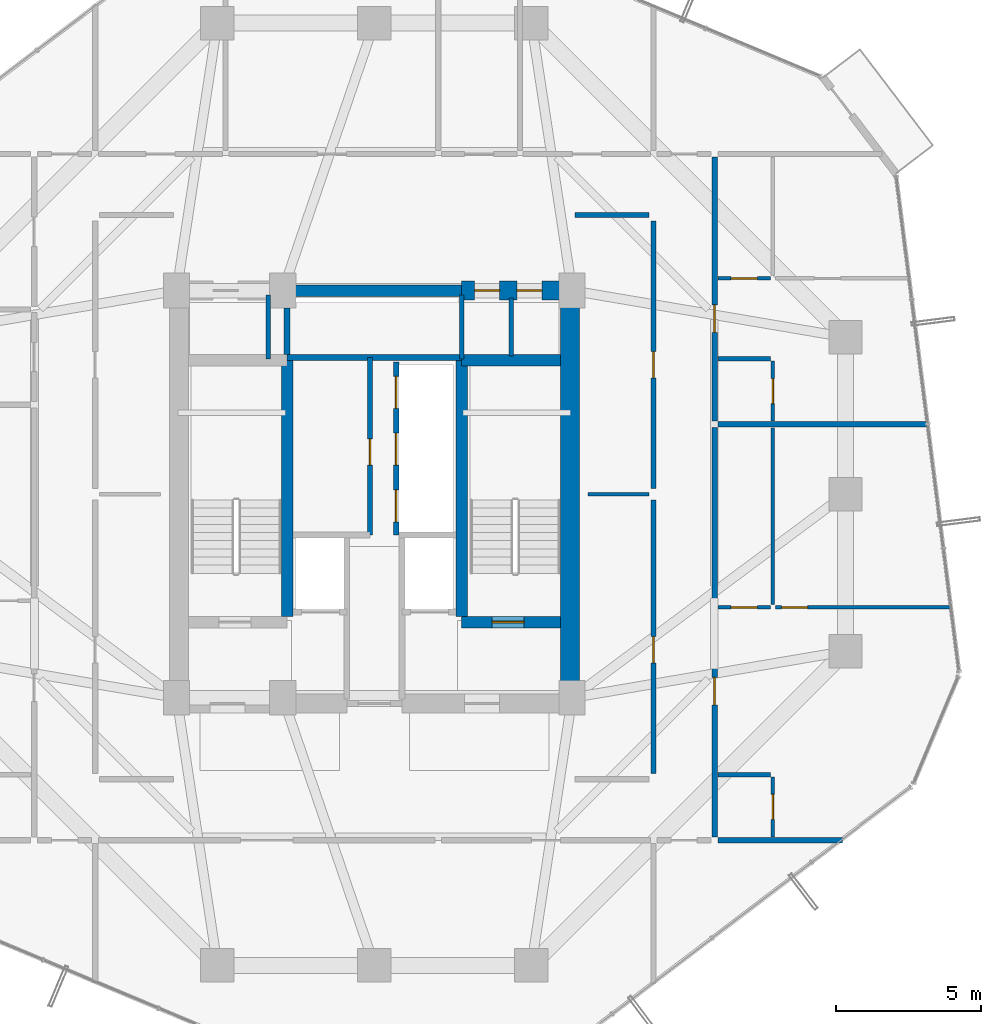
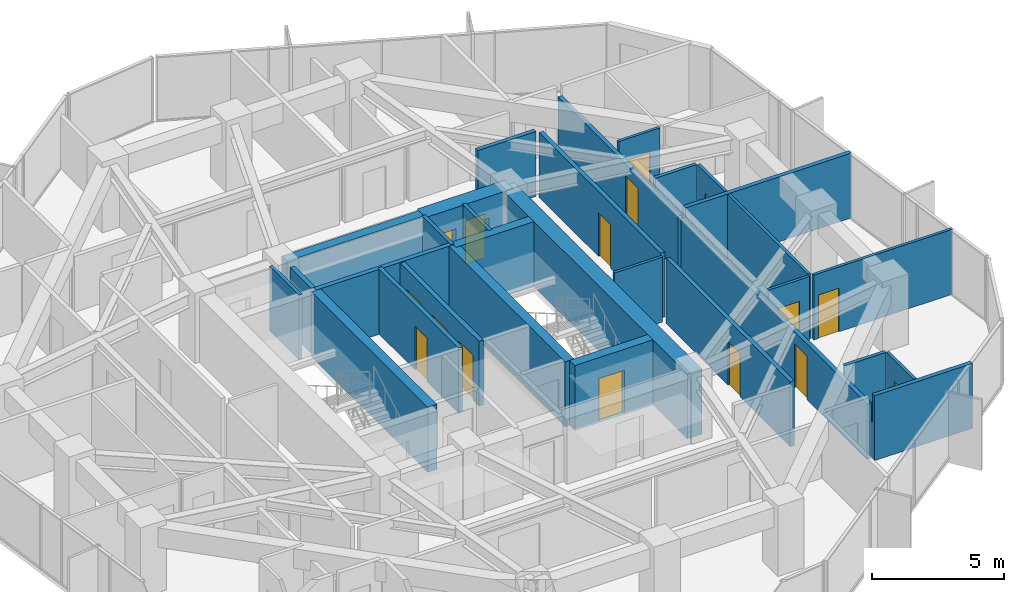
# One storey, part 30 of 33: 30 walls, 16 doors, 16 openings.
"""IFC4 building model written with IfcOpenShell, lengths in metres."""

from ifc_helpers import new_model, si_unit, direction, frame, frame_2d, origin, place, context, subcontext, project, spatial, rectangle, extrude, source, transform, mapped, material, layer, layer_set, type_object, element, fill, save


model = new_model("IFC4")

# Units and contexts
model_context = context("Model", 3, precision=1e-05, world=origin(), true_north=direction((0.0, 1.0)))
body_context = subcontext(model_context, "Body", "Model", "MODEL_VIEW")
ifc_project = project(units=[si_unit("LENGTHUNIT", "METRE"), si_unit("AREAUNIT", "SQUARE_METRE"), si_unit("VOLUMEUNIT", "CUBIC_METRE"), si_unit("PLANEANGLEUNIT", "RADIAN"), si_unit("MASSUNIT", "GRAM", prefix="KILO")], contexts=[model_context])

# Site, building, storey
site_placement = place(None, origin())
site = spatial("IfcSite", under=ifc_project, at=site_placement, CompositionType="ELEMENT")
building_placement = place(site_placement, origin())
building = spatial("IfcBuilding", under=site, at=building_placement, Name="Veraguas Prism Commons", CompositionType="ELEMENT")
storey_placement = place(building_placement, frame((0.0, 0.0, 152.25)))
storey = spatial("IfcBuildingStorey", under=building, at=storey_placement, Name="L43", CompositionType="ELEMENT", Elevation=152.25)

# Wall
ifc_material_1 = material(Name="Concrete C50/60", Category="concrete")
ifc_layer_1 = layer(ifc_material_1, 0.39990234375, Name="Clinic and Mid Core Shear Wall RC 400", Category="concrete")
ifc_layer_set_1 = layer_set([ifc_layer_1], Name="Concrete C50/60")
wall_type_1 = type_object("IfcWallType", Name="Clinic and Mid Core Shear Wall RC 400", PredefinedType="SHEAR", material=ifc_layer_set_1)
wall_1_placement = place(storey_placement, frame((21.0, 31.0, 0.0), z_axis=(0.0, 0.0, 1.0), x_axis=(1.0, 0.0, 0.0)))
element("IfcWall", 1, at=wall_1_placement, inside=storey, type_object=wall_type_1, Name="High-Rise Lift Bank Front Shear Wall L43", PredefinedType="SHEAR", context=body_context, shape_type="SweptSolid", body=[
    extrude(rectangle(XDim=6.0, YDim=0.39990234375, at=frame_2d((3.0, 0.0))), origin(), (0.0, 0.0, 1.0), 3.0),
])

# Wall, opening, door
wall_2_placement = place(storey_placement, frame((27.0, 19.60009765625, 0.0), z_axis=(0.0, 0.0, 1.0), x_axis=(1.0, 0.0, 0.0)))
wall_2 = element("IfcWall", 2, at=wall_2_placement, inside=storey, type_object=wall_type_1, Name="Stair ST-02 South Shear Wall L43", PredefinedType="SHEAR", context=body_context, shape_type="SweptSolid", body=[
    extrude(rectangle(XDim=3.39990234375, YDim=0.39990234375, at=frame_2d((1.699951171875, 0.0))), origin(), (0.0, 0.0, 1.0), 3.0),
])
opening_1_placement = place(wall_2_placement, frame((1.050048828125, 0.0, 0.0)))
opening_1 = element("IfcOpeningElement", 3, at=opening_1_placement, cuts=wall_2, Name="Opening DR-05", PredefinedType="OPENING", context=body_context, shape_type="SweptSolid", body=[
    extrude(rectangle(XDim=1.10009765625, YDim=2.030029296875, at=frame_2d((0.550048828125, 1.01513671875))), frame((0.0, 0.2099609375, 0.0), z_axis=(0.0, -1.0, 0.0), x_axis=(1.0, 0.0, 0.0)), (0.0, 0.0, 1.0), 0.419921875),
])
ifc_material_2 = material(Name="Steel fire-rated door assembly", Category="steel")
door_type_1 = type_object("IfcDoorType", Name="Protected Stair and Refuge Fire Door 1100x2030", OperationType="NOTDEFINED", PredefinedType="DOOR", material=ifc_material_2)
shared_shape_1 = source(origin(), body_context, "Body", "SweptSolid", [
    extrude(rectangle(XDim=1.10009765625, YDim=2.030029296875, at=frame_2d((0.550048828125, 1.01513671875))), frame((0.0, 0.02490234375, 0.0), z_axis=(0.0, -1.0, 0.0), x_axis=(1.0, 0.0, 0.0)), (0.0, 0.0, 1.0), 0.050048828125),
])
door_1_placement = place(opening_1_placement, origin())
door_1 = element("IfcDoor", 4, at=door_1_placement, inside=storey, type_object=door_type_1, Name="Stair ST-02 Enclosure Door L43", OperationType="SINGLE_SWING_RIGHT", OverallHeight=2.030029296875, OverallWidth=1.10009765625, PredefinedType="DOOR", context=body_context, shape_type="MappedRepresentation", body=[
    mapped(shared_shape_1, transform((0.0, 0.0, 0.0), scale=1.0)),
])
fill(opening_1, door_1)

# Walls
for number, where, z_axis, x_axis, name in (
    (5, (21.0, 19.800048828125, 0.0), (0.0, 0.0, 1.0), (0.0, 1.0, 0.0), "Stair ST-01 Inner Shear Wall L43"),
    (6, (27.0, 19.800048828125, 0.0), (0.0, 0.0, 1.0), (0.0, 1.0, 0.0), "Stair ST-02 Inner Shear Wall L43"),
):
    element("IfcWall", number, at=place(storey_placement, frame(where, z_axis=z_axis, x_axis=x_axis)), inside=storey, type_object=wall_type_1, Name=name, PredefinedType="SHEAR", context=body_context, shape_type="SweptSolid", body=[
        extrude(rectangle(XDim=8.800048828125, YDim=0.39990234375, at=frame_2d((4.39990234375, 0.0))), origin(), (0.0, 0.0, 1.0), 3.0),
    ])
wall_3_placement = place(storey_placement, frame((27.0, 28.60009765625, 0.0), z_axis=(0.0, 0.0, 1.0), x_axis=(1.0, 0.0, 0.0)))
element("IfcWall", 7, at=wall_3_placement, inside=storey, type_object=wall_type_1, Name="Stair ST-02 North Shear Wall L43", PredefinedType="SHEAR", context=body_context, shape_type="SweptSolid", body=[
    extrude(rectangle(XDim=3.39990234375, YDim=0.39990234375, at=frame_2d((1.699951171875, 0.0))), origin(), (0.0, 0.0, 1.0), 3.0),
])
ifc_material_3 = material(Name="Concrete C55/67", Category="concrete")
ifc_layer_2 = layer(ifc_material_3, 0.64990234375, Name="Core Outer Shear Wall Mid RC 650", Category="concrete")
ifc_layer_set_2 = layer_set([ifc_layer_2], Name="Concrete C55/67")
wall_type_2 = type_object("IfcWallType", Name="Core Outer Shear Wall Mid RC 650", PredefinedType="SHEAR", material=ifc_layer_set_2)
wall_4_placement = place(storey_placement, frame((30.72509765625, 16.800048828125, 0.0), z_axis=(0.0, 0.0, 1.0), x_axis=(0.0, 1.0, 0.0)))
element("IfcWall", 8, at=wall_4_placement, inside=storey, type_object=wall_type_2, Name="Central Core East Shear Wall L43", PredefinedType="SHEAR", context=body_context, shape_type="SweptSolid", body=[
    extrude(rectangle(XDim=14.199951171875, YDim=0.64990234375, at=frame_2d((7.10009765625, 0.0))), origin(), (0.0, 0.0, 1.0), 3.0),
])

# Wall, openings, doors
wall_5_placement = place(storey_placement, frame((27.0, 31.0, 0.0), z_axis=(0.0, 0.0, 1.0), x_axis=(1.0, 0.0, 0.0)))
wall_5 = element("IfcWall", 9, at=wall_5_placement, inside=storey, type_object=wall_type_2, Name="Central Core North-East Shear Wall L43", PredefinedType="SHEAR", context=body_context, shape_type="SweptSolid", body=[
    extrude(rectangle(XDim=3.800048828125, YDim=0.64990234375, at=frame_2d((1.89990234375, 0.0))), origin(), (0.0, 0.0, 1.0), 3.0),
])
opening_2_placement = place(wall_5_placement, frame((0.449951171875, 0.0, 0.0)))
opening_2 = element("IfcOpeningElement", 10, at=opening_2_placement, cuts=wall_5, Name="Opening DR-12", PredefinedType="OPENING", context=body_context, shape_type="SweptSolid", body=[
    extrude(rectangle(XDim=0.860107421875, YDim=2.010009765625, at=frame_2d((0.43017578125, 1.0048828125))), frame((0.0, 0.3349609375, 0.0), z_axis=(0.0, -1.0, 0.0), x_axis=(1.0, 0.0, 0.0)), (0.0, 0.0, 1.0), 0.669921875),
])
opening_3_placement = place(wall_5_placement, frame((1.89990234375, 0.0, 0.0)))
opening_3 = element("IfcOpeningElement", 11, at=opening_3_placement, cuts=wall_5, Name="Opening DR-12", PredefinedType="OPENING", context=body_context, shape_type="SweptSolid", body=[
    extrude(rectangle(XDim=0.860107421875, YDim=2.010009765625, at=frame_2d((0.43017578125, 1.0048828125))), frame((0.0, 0.3349609375, 0.0), z_axis=(0.0, -1.0, 0.0), x_axis=(1.0, 0.0, 0.0)), (0.0, 0.0, 1.0), 0.669921875),
])
door_type_2 = type_object("IfcDoorType", Name="Core WC Fire Door 860x2010", OperationType="NOTDEFINED", PredefinedType="DOOR", material=ifc_material_2)
shared_shape_2 = source(origin(), body_context, "Body", "SweptSolid", [
    extrude(rectangle(XDim=0.860107421875, YDim=2.010009765625, at=frame_2d((0.43017578125, 1.0048828125))), frame((0.0, 0.02490234375, 0.0), z_axis=(0.0, -1.0, 0.0), x_axis=(1.0, 0.0, 0.0)), (0.0, 0.0, 1.0), 0.050048828125),
])
door_2_placement = place(opening_2_placement, origin())
door_2 = element("IfcDoor", 12, at=door_2_placement, inside=storey, type_object=door_type_2, Name="Core NE Room A Door L43", OperationType="SINGLE_SWING_LEFT", OverallHeight=2.010009765625, OverallWidth=0.860107421875, PredefinedType="DOOR", context=body_context, shape_type="MappedRepresentation", body=[
    mapped(shared_shape_2, transform((0.0, 0.0, 0.0), scale=1.0)),
])
fill(opening_2, door_2)
door_3_placement = place(opening_3_placement, origin())
door_3 = element("IfcDoor", 13, at=door_3_placement, inside=storey, type_object=door_type_2, Name="Core NE Room B Door L43", OperationType="SINGLE_SWING_RIGHT", OverallHeight=2.010009765625, OverallWidth=0.860107421875, PredefinedType="DOOR", context=body_context, shape_type="MappedRepresentation", body=[
    mapped(shared_shape_2, transform((0.0, 0.0, 0.0), scale=1.0)),
])
fill(opening_3, door_3)

# Wall, opening, door
ifc_material_4 = material(Name="Autoclaved aerated masonry block 10 MPa", Category="masonry")
ifc_layer_3 = layer(ifc_material_4, 0.179931640625, Name="Corridor and Inter-Tenancy Partition 180", Category="masonry")
ifc_layer_set_3 = layer_set([ifc_layer_3], Name="Autoclaved aerated masonry block 10 MPa")
wall_type_3 = type_object("IfcWallType", Name="Corridor and Inter-Tenancy Partition 180", PredefinedType="PARTITIONING", material=ifc_layer_set_3)
wall_6_placement = place(storey_placement, frame((23.85009765625, 22.60009765625, 0.0), z_axis=(0.0, 0.0, 1.0), x_axis=(0.0, 1.0, 0.0)))
wall_6 = element("IfcWall", 14, at=wall_6_placement, inside=storey, type_object=wall_type_3, Name="Reading Room Partition L43", PredefinedType="PARTITIONING", context=body_context, shape_type="SweptSolid", body=[
    extrude(rectangle(XDim=6.099853515625, YDim=0.179931640625, at=frame_2d((3.0498046875, 0.0))), origin(), (0.0, 0.0, 1.0), 3.0),
])
opening_4_placement = place(wall_6_placement, frame((2.39990234375, 0.0, 0.0)))
opening_4 = element("IfcOpeningElement", 15, at=opening_4_placement, cuts=wall_6, Name="Opening DR-14", PredefinedType="OPENING", context=body_context, shape_type="SweptSolid", body=[
    extrude(rectangle(XDim=0.89990234375, YDim=2.010009765625, at=frame_2d((0.449951171875, 1.0048828125))), frame((0.0, 0.099853515625, 0.0), z_axis=(0.0, -1.0, 0.0), x_axis=(1.0, 0.0, 0.0)), (0.0, 0.0, 1.0), 0.199951171875),
])
door_type_3 = type_object("IfcDoorType", Name="Core Service Room Fire Door 900x2010", OperationType="NOTDEFINED", PredefinedType="DOOR", material=ifc_material_2)
shared_shape_3 = source(origin(), body_context, "Body", "SweptSolid", [
    extrude(rectangle(XDim=0.89990234375, YDim=2.010009765625, at=frame_2d((0.449951171875, 1.0048828125))), frame((0.0, 0.02490234375, 0.0), z_axis=(0.0, -1.0, 0.0), x_axis=(1.0, 0.0, 0.0)), (0.0, 0.0, 1.0), 0.050048828125),
])
door_4_placement = place(opening_4_placement, origin())
door_4 = element("IfcDoor", 16, at=door_4_placement, inside=storey, type_object=door_type_3, Name="Reading Room Door L43", OperationType="SINGLE_SWING_LEFT", OverallHeight=2.010009765625, OverallWidth=0.89990234375, PredefinedType="DOOR", context=body_context, shape_type="MappedRepresentation", body=[
    mapped(shared_shape_3, transform((0.0, 0.0, 0.0), scale=1.0)),
])
fill(opening_4, door_4)

wall_7_placement = place(storey_placement, frame((33.60009765625, 14.39990234375, 0.0), z_axis=(0.0, 0.0, 1.0), x_axis=(0.0, 1.0, 0.0)))
wall_7 = element("IfcWall", 17, at=wall_7_placement, inside=storey, type_object=wall_type_3, Name="WL-L43-IRE1", PredefinedType="PARTITIONING", context=body_context, shape_type="SweptSolid", body=[
    extrude(rectangle(XDim=9.400146484375, YDim=0.179931640625, at=frame_2d((4.7001953125, 0.0))), origin(), (0.0, 0.0, 1.0), 3.0),
])
opening_5_placement = place(wall_7_placement, frame((3.800048828125, 0.0, 0.0)))
opening_5 = element("IfcOpeningElement", 18, at=opening_5_placement, cuts=wall_7, Name="Opening DR-14", PredefinedType="OPENING", context=body_context, shape_type="SweptSolid", body=[
    extrude(rectangle(XDim=0.89990234375, YDim=2.010009765625, at=frame_2d((0.449951171875, 1.0048828125))), frame((0.0, 0.099853515625, 0.0), z_axis=(0.0, -1.0, 0.0), x_axis=(1.0, 0.0, 0.0)), (0.0, 0.0, 1.0), 0.199951171875),
])
door_5_placement = place(opening_5_placement, origin())
door_5 = element("IfcDoor", 19, at=door_5_placement, inside=storey, type_object=door_type_3, Name="Shared Laundry Annex Door L43", OperationType="SINGLE_SWING_RIGHT", OverallHeight=2.010009765625, OverallWidth=0.89990234375, PredefinedType="DOOR", context=body_context, shape_type="MappedRepresentation", body=[
    mapped(shared_shape_3, transform((0.0, 0.0, 0.0), scale=1.0)),
])
fill(opening_5, door_5)

wall_8_placement = place(storey_placement, frame((33.60009765625, 24.199951171875, 0.0), z_axis=(0.0, 0.0, 1.0), x_axis=(0.0, 1.0, 0.0)))
wall_8 = element("IfcWall", 20, at=wall_8_placement, inside=storey, type_object=wall_type_3, Name="WL-L43-IRE2", PredefinedType="PARTITIONING", context=body_context, shape_type="SweptSolid", body=[
    extrude(rectangle(XDim=9.199951171875, YDim=0.179931640625, at=frame_2d((4.60009765625, 0.0))), origin(), (0.0, 0.0, 1.0), 3.0),
])
opening_6_placement = place(wall_8_placement, frame((3.800048828125, 0.0, 0.0)))
opening_6 = element("IfcOpeningElement", 21, at=opening_6_placement, cuts=wall_8, Name="Opening DR-14", PredefinedType="OPENING", context=body_context, shape_type="SweptSolid", body=[
    extrude(rectangle(XDim=0.89990234375, YDim=2.010009765625, at=frame_2d((0.449951171875, 1.0048828125))), frame((0.0, 0.099853515625, 0.0), z_axis=(0.0, -1.0, 0.0), x_axis=(1.0, 0.0, 0.0)), (0.0, 0.0, 1.0), 0.199951171875),
])
door_6_placement = place(opening_6_placement, origin())
door_6 = element("IfcDoor", 22, at=door_6_placement, inside=storey, type_object=door_type_3, Name="Community Reading Alcove Door L43", OperationType="SINGLE_SWING_LEFT", OverallHeight=2.010009765625, OverallWidth=0.89990234375, PredefinedType="DOOR", context=body_context, shape_type="MappedRepresentation", body=[
    mapped(shared_shape_3, transform((0.0, 0.0, 0.0), scale=1.0)),
])
fill(opening_6, door_6)

# Walls
wall_9_placement = place(storey_placement, frame((30.89990234375, 33.60009765625, 0.0), z_axis=(0.0, 0.0, 1.0), x_axis=(1.0, 0.0, 0.0)))
element("IfcWall", 23, at=wall_9_placement, inside=storey, type_object=wall_type_3, Name="WL-L43-IREN", PredefinedType="PARTITIONING", context=body_context, shape_type="SweptSolid", body=[
    extrude(rectangle(XDim=2.550048828125, YDim=0.179931640625, at=frame_2d((1.27490234375, 0.0))), origin(), (0.0, 0.0, 1.0), 3.0),
])
wall_10_placement = place(storey_placement, frame((35.820068359375, 12.10009765625, 0.0), z_axis=(0.0, 0.0, 1.0), x_axis=(1.0, 0.0, 0.0)))
element("IfcWall", 24, at=wall_10_placement, inside=storey, type_object=wall_type_3, Name="WL-L43-PT026", PredefinedType="PARTITIONING", context=body_context, shape_type="SweptSolid", body=[
    extrude(rectangle(XDim=4.27294921875, YDim=0.179931640625, at=frame_2d((2.136474609375, 0.0))), origin(), (0.0, 0.0, 1.0), 3.0),
])

# Wall, opening, door
wall_11_placement = place(storey_placement, frame((35.699951171875, 12.2099609375, 0.0), z_axis=(0.0, 0.0, 1.0), x_axis=(0.0, 1.0, 0.0)))
wall_11 = element("IfcWall", 25, at=wall_11_placement, inside=storey, type_object=wall_type_3, Name="WL-L43-PT028", PredefinedType="PARTITIONING", context=body_context, shape_type="SweptSolid", body=[
    extrude(rectangle(XDim=14.08203125, YDim=0.179931640625, at=frame_2d((7.041015625, 0.0))), origin(), (0.0, 0.0, 1.0), 2.580078125),
])
opening_7_placement = place(wall_11_placement, frame((4.54443359375, 0.0, 0.0)))
opening_7 = element("IfcOpeningElement", 26, at=opening_7_placement, cuts=wall_11, Name="Opening DR-01", PredefinedType="OPENING", context=body_context, shape_type="SweptSolid", body=[
    extrude(rectangle(XDim=0.949951171875, YDim=2.02001953125, at=frame_2d((0.47509765625, 1.010009765625))), frame((0.0, 0.099853515625, 0.0), z_axis=(0.0, -1.0, 0.0), x_axis=(1.0, 0.0, 0.0)), (0.0, 0.0, 1.0), 0.199951171875),
])
ifc_material_5 = material(Name="Anodised aluminium EN AW-6063 T6", Category="aluminium")
door_type_4 = type_object("IfcDoorType", Name="Apartment Entrance Fire Door 950x2020", OperationType="NOTDEFINED", PredefinedType="DOOR", material=ifc_material_5)
shared_shape_4 = source(origin(), body_context, "Body", "SweptSolid", [
    extrude(rectangle(XDim=0.949951171875, YDim=2.02001953125, at=frame_2d((0.47509765625, 1.010009765625))), frame((0.0, 0.02490234375, 0.0), z_axis=(0.0, -1.0, 0.0), x_axis=(1.0, 0.0, 0.0)), (0.0, 0.0, 1.0), 0.050048828125),
])
door_7_placement = place(opening_7_placement, origin())
door_7 = element("IfcDoor", 27, at=door_7_placement, inside=storey, type_object=door_type_4, Name="Flat 43B Entrance Door", OperationType="SINGLE_SWING_RIGHT", OverallHeight=2.02001953125, OverallWidth=0.949951171875, PredefinedType="DOOR", context=body_context, shape_type="MappedRepresentation", body=[
    mapped(shared_shape_4, transform((0.0, 0.0, 0.0), scale=1.0)),
])
fill(opening_7, door_7)

# Wall
wall_12_placement = place(storey_placement, frame((35.820068359375, 26.402099609375, 0.0), z_axis=(0.0, 0.0, 1.0), x_axis=(1.0, 0.0, 0.0)))
element("IfcWall", 28, at=wall_12_placement, inside=storey, type_object=wall_type_3, Name="WL-L43-PT034", PredefinedType="PARTITIONING", context=body_context, shape_type="SweptSolid", body=[
    extrude(rectangle(XDim=7.24169921875, YDim=0.179931640625, at=frame_2d((3.620849609375, 0.0))), origin(), (0.0, 0.0, 1.0), 3.0),
])

# Wall, opening, door
wall_13_placement = place(storey_placement, frame((35.699951171875, 26.511962890625, 0.0), z_axis=(0.0, 0.0, 1.0), x_axis=(0.0, 1.0, 0.0)))
wall_13 = element("IfcWall", 29, at=wall_13_placement, inside=storey, type_object=wall_type_3, Name="WL-L43-PT035", PredefinedType="PARTITIONING", context=body_context, shape_type="SweptSolid", body=[
    extrude(rectangle(XDim=9.078125, YDim=0.179931640625, at=frame_2d((4.5390625, 0.0))), origin(), (0.0, 0.0, 1.0), 2.580078125),
])
opening_8_placement = place(wall_13_placement, frame((3.050537109375, 0.0, 0.0)))
opening_8 = element("IfcOpeningElement", 30, at=opening_8_placement, cuts=wall_13, Name="Opening DR-01", PredefinedType="OPENING", context=body_context, shape_type="SweptSolid", body=[
    extrude(rectangle(XDim=0.949951171875, YDim=2.02001953125, at=frame_2d((0.47509765625, 1.010009765625))), frame((0.0, 0.099853515625, 0.0), z_axis=(0.0, -1.0, 0.0), x_axis=(1.0, 0.0, 0.0)), (0.0, 0.0, 1.0), 0.199951171875),
])
door_8_placement = place(opening_8_placement, origin())
door_8 = element("IfcDoor", 31, at=door_8_placement, inside=storey, type_object=door_type_4, Name="Flat 43C Entrance Door", OperationType="SINGLE_SWING_RIGHT", OverallHeight=2.02001953125, OverallWidth=0.949951171875, PredefinedType="DOOR", context=body_context, shape_type="MappedRepresentation", body=[
    mapped(shared_shape_4, transform((0.0, 0.0, 0.0), scale=1.0)),
])
fill(opening_8, door_8)

# Wall
ifc_material_6 = material(Name="Lightweight acoustic gypsum board")
ifc_layer_4 = layer(ifc_material_6, 0.125, Name="Internal Apartment Room Partition 125")
ifc_layer_set_4 = layer_set([ifc_layer_4], Name="Lightweight acoustic gypsum board")
wall_type_4 = type_object("IfcWallType", Name="Internal Apartment Room Partition 125", PredefinedType="PARTITIONING", material=ifc_layer_set_4)
wall_14_placement = place(storey_placement, frame((31.35009765625, 24.0, 0.0), z_axis=(0.0, 0.0, 1.0), x_axis=(1.0, 0.0, 0.0)))
element("IfcWall", 32, at=wall_14_placement, inside=storey, type_object=wall_type_4, Name="WL-L43-IREM", PredefinedType="PARTITIONING", context=body_context, shape_type="SweptSolid", body=[
    extrude(rectangle(XDim=2.099853515625, YDim=0.125, at=frame_2d((1.0498046875, 0.0))), origin(), (0.0, 0.0, 1.0), 3.0),
])

# Wall, opening, door
wall_15_placement = place(storey_placement, frame((37.699951171875, 12.219970703125, 0.0), z_axis=(0.0, 0.0, 1.0), x_axis=(0.0, 1.0, 0.0)))
wall_15 = element("IfcWall", 33, at=wall_15_placement, inside=storey, type_object=wall_type_4, Name="WL-L43-PT030", PredefinedType="PARTITIONING", context=body_context, shape_type="SweptSolid", body=[
    extrude(rectangle(XDim=2.050048828125, YDim=0.125, at=frame_2d((1.02490234375, 0.0))), origin(), (0.0, 0.0, 1.0), 3.0),
])
opening_9_placement = place(wall_15_placement, frame((0.594970703125, 0.0, 0.0)))
opening_9 = element("IfcOpeningElement", 34, at=opening_9_placement, cuts=wall_15, Name="Opening DR-03", PredefinedType="OPENING", context=body_context, shape_type="SweptSolid", body=[
    extrude(rectangle(XDim=0.860107421875, YDim=2.010009765625, at=frame_2d((0.43017578125, 1.0048828125))), frame((0.0, 0.072509765625, 0.0), z_axis=(0.0, -1.0, 0.0), x_axis=(1.0, 0.0, 0.0)), (0.0, 0.0, 1.0), 0.14501953125),
])
ifc_material_7 = material(Name="Timber moisture-resistant leaf", Category="wood")
door_type_5 = type_object("IfcDoorType", Name="Internal Bathroom Door 860x2010", OperationType="NOTDEFINED", PredefinedType="DOOR", material=ifc_material_7)
door_9_placement = place(opening_9_placement, origin())
door_9 = element("IfcDoor", 35, at=door_9_placement, inside=storey, type_object=door_type_5, Name="Flat 43B Bathroom Door", OperationType="SINGLE_SWING_LEFT", OverallHeight=2.010009765625, OverallWidth=0.860107421875, PredefinedType="DOOR", context=body_context, shape_type="MappedRepresentation", body=[
    mapped(shared_shape_2, transform((0.0, 0.0, 0.0), scale=1.0)),
])
fill(opening_9, door_9)

wall_16_placement = place(storey_placement, frame((35.820068359375, 20.10888671875, 0.0), z_axis=(0.0, 0.0, 1.0), x_axis=(1.0, 0.0, 0.0)))
wall_16 = element("IfcWall", 36, at=wall_16_placement, inside=storey, type_object=wall_type_4, Name="WL-L43-PT031", PredefinedType="PARTITIONING", context=body_context, shape_type="SweptSolid", body=[
    extrude(rectangle(XDim=1.800048828125, YDim=0.125, at=frame_2d((0.89990234375, 0.0))), origin(), (0.0, 0.0, 1.0), 3.0),
])
opening_10_placement = place(wall_16_placement, frame((0.449951171875, 0.0, 0.0)))
opening_10 = element("IfcOpeningElement", 37, at=opening_10_placement, cuts=wall_16, Name="Opening DR-02", PredefinedType="OPENING", context=body_context, shape_type="SweptSolid", body=[
    extrude(rectangle(XDim=0.89990234375, YDim=2.010009765625, at=frame_2d((0.449951171875, 1.0048828125))), frame((0.0, 0.072509765625, 0.0), z_axis=(0.0, -1.0, 0.0), x_axis=(1.0, 0.0, 0.0)), (0.0, 0.0, 1.0), 0.14501953125),
])
ifc_material_8 = material(Name="Timber solid core hardwood", Category="wood")
door_type_6 = type_object("IfcDoorType", Name="Internal Habitable Room Door 900x2010", OperationType="NOTDEFINED", PredefinedType="DOOR", material=ifc_material_8)
door_10_placement = place(opening_10_placement, origin())
door_10 = element("IfcDoor", 38, at=door_10_placement, inside=storey, type_object=door_type_6, Name="Flat 43B Kitchen Door", OperationType="SINGLE_SWING_RIGHT", OverallHeight=2.010009765625, OverallWidth=0.89990234375, PredefinedType="DOOR", context=body_context, shape_type="MappedRepresentation", body=[
    mapped(shared_shape_3, transform((0.0, 0.0, 0.0), scale=1.0)),
])
fill(opening_10, door_10)

# Wall
wall_17_placement = place(storey_placement, frame((37.699951171875, 20.208984375, 0.0), z_axis=(0.0, 0.0, 1.0), x_axis=(0.0, 1.0, 0.0)))
element("IfcWall", 39, at=wall_17_placement, inside=storey, type_object=wall_type_4, Name="WL-L43-PT032", PredefinedType="PARTITIONING", context=body_context, shape_type="SweptSolid", body=[
    extrude(rectangle(XDim=6.072998046875, YDim=0.125, at=frame_2d((3.03662109375, 0.0))), origin(), (0.0, 0.0, 1.0), 3.0),
])

# Wall, opening, door
wall_18_placement = place(storey_placement, frame((37.800048828125, 20.10888671875, 0.0), z_axis=(0.0, 0.0, 1.0), x_axis=(1.0, 0.0, 0.0)))
wall_18 = element("IfcWall", 40, at=wall_18_placement, inside=storey, type_object=wall_type_4, Name="WL-L43-PT033", PredefinedType="PARTITIONING", context=body_context, shape_type="SweptSolid", body=[
    extrude(rectangle(XDim=6.06103515625, YDim=0.125, at=frame_2d((3.030517578125, 0.0))), origin(), (0.0, 0.0, 1.0), 3.0),
])
opening_11_placement = place(wall_18_placement, frame((0.199951171875, 0.0, 0.0)))
opening_11 = element("IfcOpeningElement", 41, at=opening_11_placement, cuts=wall_18, Name="Opening DR-02", PredefinedType="OPENING", context=body_context, shape_type="SweptSolid", body=[
    extrude(rectangle(XDim=0.89990234375, YDim=2.010009765625, at=frame_2d((0.449951171875, 1.0048828125))), frame((0.0, 0.072509765625, 0.0), z_axis=(0.0, -1.0, 0.0), x_axis=(1.0, 0.0, 0.0)), (0.0, 0.0, 1.0), 0.14501953125),
])
door_11_placement = place(opening_11_placement, origin())
door_11 = element("IfcDoor", 42, at=door_11_placement, inside=storey, type_object=door_type_6, Name="Flat 43B Bedroom 1 Door", OperationType="SINGLE_SWING_LEFT", OverallHeight=2.010009765625, OverallWidth=0.89990234375, PredefinedType="DOOR", context=body_context, shape_type="MappedRepresentation", body=[
    mapped(shared_shape_3, transform((0.0, 0.0, 0.0), scale=1.0)),
])
fill(opening_11, door_11)

wall_19_placement = place(storey_placement, frame((37.699951171875, 26.52197265625, 0.0), z_axis=(0.0, 0.0, 1.0), x_axis=(0.0, 1.0, 0.0)))
wall_19 = element("IfcWall", 43, at=wall_19_placement, inside=storey, type_object=wall_type_4, Name="WL-L43-PT037", PredefinedType="PARTITIONING", context=body_context, shape_type="SweptSolid", body=[
    extrude(rectangle(XDim=2.050048828125, YDim=0.125, at=frame_2d((1.02490234375, 0.0))), origin(), (0.0, 0.0, 1.0), 3.0),
])
opening_12_placement = place(wall_19_placement, frame((0.594970703125, 0.0, 0.0)))
opening_12 = element("IfcOpeningElement", 44, at=opening_12_placement, cuts=wall_19, Name="Opening DR-03", PredefinedType="OPENING", context=body_context, shape_type="SweptSolid", body=[
    extrude(rectangle(XDim=0.860107421875, YDim=2.010009765625, at=frame_2d((0.43017578125, 1.0048828125))), frame((0.0, 0.072509765625, 0.0), z_axis=(0.0, -1.0, 0.0), x_axis=(1.0, 0.0, 0.0)), (0.0, 0.0, 1.0), 0.14501953125),
])
door_12_placement = place(opening_12_placement, origin())
door_12 = element("IfcDoor", 45, at=door_12_placement, inside=storey, type_object=door_type_5, Name="Flat 43C Bathroom Door", OperationType="SINGLE_SWING_LEFT", OverallHeight=2.010009765625, OverallWidth=0.860107421875, PredefinedType="DOOR", context=body_context, shape_type="MappedRepresentation", body=[
    mapped(shared_shape_2, transform((0.0, 0.0, 0.0), scale=1.0)),
])
fill(opening_12, door_12)

wall_20_placement = place(storey_placement, frame((35.820068359375, 31.423095703125, 0.0), z_axis=(0.0, 0.0, 1.0), x_axis=(1.0, 0.0, 0.0)))
wall_20 = element("IfcWall", 46, at=wall_20_placement, inside=storey, type_object=wall_type_4, Name="WL-L43-PT038", PredefinedType="PARTITIONING", context=body_context, shape_type="SweptSolid", body=[
    extrude(rectangle(XDim=1.800048828125, YDim=0.125, at=frame_2d((0.89990234375, 0.0))), origin(), (0.0, 0.0, 1.0), 3.0),
])
opening_13_placement = place(wall_20_placement, frame((0.449951171875, 0.0, 0.0)))
opening_13 = element("IfcOpeningElement", 47, at=opening_13_placement, cuts=wall_20, Name="Opening DR-02", PredefinedType="OPENING", context=body_context, shape_type="SweptSolid", body=[
    extrude(rectangle(XDim=0.89990234375, YDim=2.010009765625, at=frame_2d((0.449951171875, 1.0048828125))), frame((0.0, 0.072509765625, 0.0), z_axis=(0.0, -1.0, 0.0), x_axis=(1.0, 0.0, 0.0)), (0.0, 0.0, 1.0), 0.14501953125),
])
door_13_placement = place(opening_13_placement, origin())
door_13 = element("IfcDoor", 48, at=door_13_placement, inside=storey, type_object=door_type_6, Name="Flat 43C Kitchen Door", OperationType="SINGLE_SWING_RIGHT", OverallHeight=2.010009765625, OverallWidth=0.89990234375, PredefinedType="DOOR", context=body_context, shape_type="MappedRepresentation", body=[
    mapped(shared_shape_3, transform((0.0, 0.0, 0.0), scale=1.0)),
])
fill(opening_13, door_13)

# Walls
ifc_layer_5 = layer(ifc_material_4, 0.199951171875, Name="Rated Shaft and Lobby Block Wall 200", Category="masonry")
ifc_layer_set_5 = layer_set([ifc_layer_5], Name="Autoclaved aerated masonry block 10 MPa")
wall_type_5 = type_object("IfcWallType", Name="Rated Shaft and Lobby Block Wall 200", PredefinedType="SOLIDWALL", material=ifc_layer_set_5)
wall_21_placement = place(storey_placement, frame((21.0, 28.699951171875, 0.0), z_axis=(0.0, 0.0, 1.0), x_axis=(1.0, 0.0, 0.0)))
element("IfcWall", 49, at=wall_21_placement, inside=storey, type_object=wall_type_5, Name="High-Rise Lift Bank Rear Shaft Wall L43", PredefinedType="SOLIDWALL", context=body_context, shape_type="SweptSolid", body=[
    extrude(rectangle(XDim=6.0, YDim=0.199951171875, at=frame_2d((3.0, 0.0))), origin(), (0.0, 0.0, 1.0), 3.0),
])
wall_22_placement = place(storey_placement, frame((21.0, 28.800048828125, 0.0), z_axis=(0.0, 0.0, 1.0), x_axis=(0.0, 1.0, 0.0)))
element("IfcWall", 50, at=wall_22_placement, inside=storey, type_object=wall_type_5, Name="High-Rise Lift Bank West Shaft Wall L43", PredefinedType="SOLIDWALL", context=body_context, shape_type="SweptSolid", body=[
    extrude(rectangle(XDim=1.599853515625, YDim=0.199951171875, at=frame_2d((0.7998046875, 0.0))), origin(), (0.0, 0.0, 1.0), 3.0),
])

# Wall, openings, doors
wall_23_placement = place(storey_placement, frame((24.75, 22.60009765625, 0.0), z_axis=(0.0, 0.0, 1.0), x_axis=(0.0, 1.0, 0.0)))
wall_23 = element("IfcWall", 51, at=wall_23_placement, inside=storey, type_object=wall_type_5, Name="Mid-Rise Lift Bank Front Wall L43", PredefinedType="SOLIDWALL", context=body_context, shape_type="SweptSolid", body=[
    extrude(rectangle(XDim=5.949951171875, YDim=0.199951171875, at=frame_2d((2.97509765625, 0.0))), origin(), (0.0, 0.0, 1.0), 3.0),
])
opening_14_placement = place(wall_23_placement, frame((0.449951171875, 0.0, 0.0)))
opening_14 = element("IfcOpeningElement", 52, at=opening_14_placement, cuts=wall_23, Name="Opening LD-01", PredefinedType="OPENING", context=body_context, shape_type="SweptSolid", body=[
    extrude(rectangle(XDim=1.10009765625, YDim=2.080078125, at=frame_2d((0.550048828125, 1.0400390625))), frame((0.0, 0.10986328125, 0.0), z_axis=(0.0, -1.0, 0.0), x_axis=(1.0, 0.0, 0.0)), (0.0, 0.0, 1.0), 0.219970703125),
])
opening_15_placement = place(wall_23_placement, frame((2.39990234375, 0.0, 0.0)))
opening_15 = element("IfcOpeningElement", 53, at=opening_15_placement, cuts=wall_23, Name="Opening LD-01", PredefinedType="OPENING", context=body_context, shape_type="SweptSolid", body=[
    extrude(rectangle(XDim=1.10009765625, YDim=2.080078125, at=frame_2d((0.550048828125, 1.0400390625))), frame((0.0, 0.10986328125, 0.0), z_axis=(0.0, -1.0, 0.0), x_axis=(1.0, 0.0, 0.0)), (0.0, 0.0, 1.0), 0.219970703125),
])
opening_16_placement = place(wall_23_placement, frame((4.35009765625, 0.0, 0.0)))
opening_16 = element("IfcOpeningElement", 54, at=opening_16_placement, cuts=wall_23, Name="Opening LD-01", PredefinedType="OPENING", context=body_context, shape_type="SweptSolid", body=[
    extrude(rectangle(XDim=1.10009765625, YDim=2.080078125, at=frame_2d((0.550048828125, 1.0400390625))), frame((0.0, 0.10986328125, 0.0), z_axis=(0.0, -1.0, 0.0), x_axis=(1.0, 0.0, 0.0)), (0.0, 0.0, 1.0), 0.219970703125),
])
ifc_material_9 = material(Name="Stainless steel AISI 316", Category="steel")
door_type_7 = type_object("IfcDoorType", Name="Passenger Lift Sliding Landing Door 1100x2080", OperationType="NOTDEFINED", PredefinedType="DOOR", material=ifc_material_9)
shared_shape_5 = source(origin(), body_context, "Body", "SweptSolid", [
    extrude(rectangle(XDim=1.10009765625, YDim=2.080078125, at=frame_2d((0.550048828125, 1.0400390625))), frame((0.0, 0.02490234375, 0.0), z_axis=(0.0, -1.0, 0.0), x_axis=(1.0, 0.0, 0.0)), (0.0, 0.0, 1.0), 0.050048828125),
])
door_14_placement = place(opening_14_placement, origin())
door_14 = element("IfcDoor", 55, at=door_14_placement, inside=storey, type_object=door_type_7, Name="Sliding Landing Door PL-M1 L43", OperationType="SLIDING_TO_LEFT", OverallHeight=2.080078125, OverallWidth=1.10009765625, PredefinedType="DOOR", context=body_context, shape_type="MappedRepresentation", body=[
    mapped(shared_shape_5, transform((0.0, 0.0, 0.0), scale=1.0)),
])
fill(opening_14, door_14)
door_15_placement = place(opening_15_placement, origin())
door_15 = element("IfcDoor", 56, at=door_15_placement, inside=storey, type_object=door_type_7, Name="Sliding Landing Door PL-M2 L43", OperationType="SLIDING_TO_LEFT", OverallHeight=2.080078125, OverallWidth=1.10009765625, PredefinedType="DOOR", context=body_context, shape_type="MappedRepresentation", body=[
    mapped(shared_shape_5, transform((0.0, 0.0, 0.0), scale=1.0)),
])
fill(opening_15, door_15)
door_16_placement = place(opening_16_placement, origin())
door_16 = element("IfcDoor", 57, at=door_16_placement, inside=storey, type_object=door_type_7, Name="Sliding Landing Door PL-M3 L43", OperationType="SLIDING_TO_LEFT", OverallHeight=2.080078125, OverallWidth=1.10009765625, PredefinedType="DOOR", context=body_context, shape_type="MappedRepresentation", body=[
    mapped(shared_shape_5, transform((0.0, 0.0, 0.0), scale=1.0)),
])
fill(opening_16, door_16)

# Walls
ifc_layer_6 = layer(ifc_material_6, 0.14990234375, Name="Wet Room and Clinic Acoustic Partition 150")
ifc_layer_set_6 = layer_set([ifc_layer_6], Name="Lightweight acoustic gypsum board")
wall_type_6 = type_object("IfcWallType", Name="Wet Room and Clinic Acoustic Partition 150", PredefinedType="PARTITIONING", material=ifc_layer_set_6)
for number, where, z_axis, x_axis, name in (
    (58, (20.35009765625, 28.64990234375, 0.0), (0.0, 0.0, 1.0), (0.0, 1.0, 0.0), "Core NW Service Inner Wall L43"),
    (59, (27.0, 28.64990234375, 0.0), (0.0, 0.0, 1.0), (0.0, 1.0, 0.0), "Core NE Service Inner Wall L43"),
):
    element("IfcWall", number, at=place(storey_placement, frame(where, z_axis=z_axis, x_axis=x_axis)), inside=storey, type_object=wall_type_6, Name=name, PredefinedType="PARTITIONING", context=body_context, shape_type="SweptSolid", body=[
        extrude(rectangle(XDim=2.2001953125, YDim=0.14990234375, at=frame_2d((1.10009765625, 0.0))), origin(), (0.0, 0.0, 1.0), 3.0),
    ])
wall_24_placement = place(storey_placement, frame((28.699951171875, 28.75, 0.0), z_axis=(0.0, 0.0, 1.0), x_axis=(0.0, 1.0, 0.0)))
element("IfcWall", 60, at=wall_24_placement, inside=storey, type_object=wall_type_6, Name="WL-L43-CSVD1", PredefinedType="PARTITIONING", context=body_context, shape_type="SweptSolid", body=[
    extrude(rectangle(XDim=2.0, YDim=0.14990234375, at=frame_2d((1.0, 0.0))), origin(), (0.0, 0.0, 1.0), 3.0),
])
for number, where, z_axis, x_axis, name in (
    (61, (35.820068359375, 14.35009765625, 0.0), (0.0, 0.0, 1.0), (1.0, 0.0, 0.0), "WL-L43-PT029"),
    (62, (35.820068359375, 28.652099609375, 0.0), (0.0, 0.0, 1.0), (1.0, 0.0, 0.0), "WL-L43-PT036"),
):
    element("IfcWall", number, at=place(storey_placement, frame(where, z_axis=z_axis, x_axis=x_axis)), inside=storey, type_object=wall_type_6, Name=name, PredefinedType="PARTITIONING", context=body_context, shape_type="SweptSolid", body=[
        extrude(rectangle(XDim=1.800048828125, YDim=0.14990234375, at=frame_2d((0.89990234375, 0.0))), origin(), (0.0, 0.0, 1.0), 3.0),
    ])

save(model, "model.ifc")
